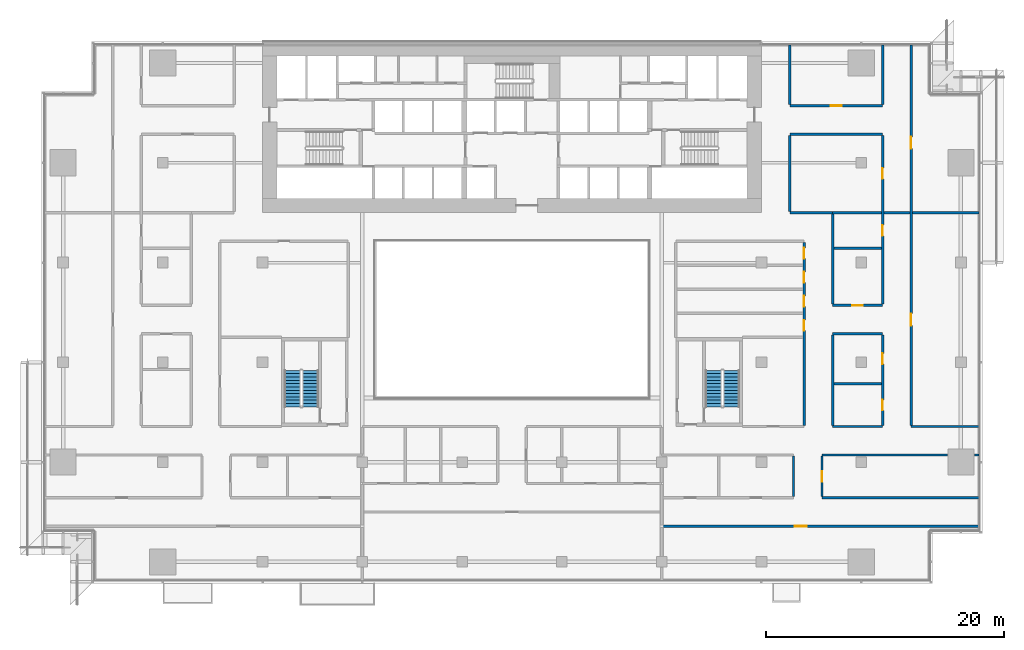
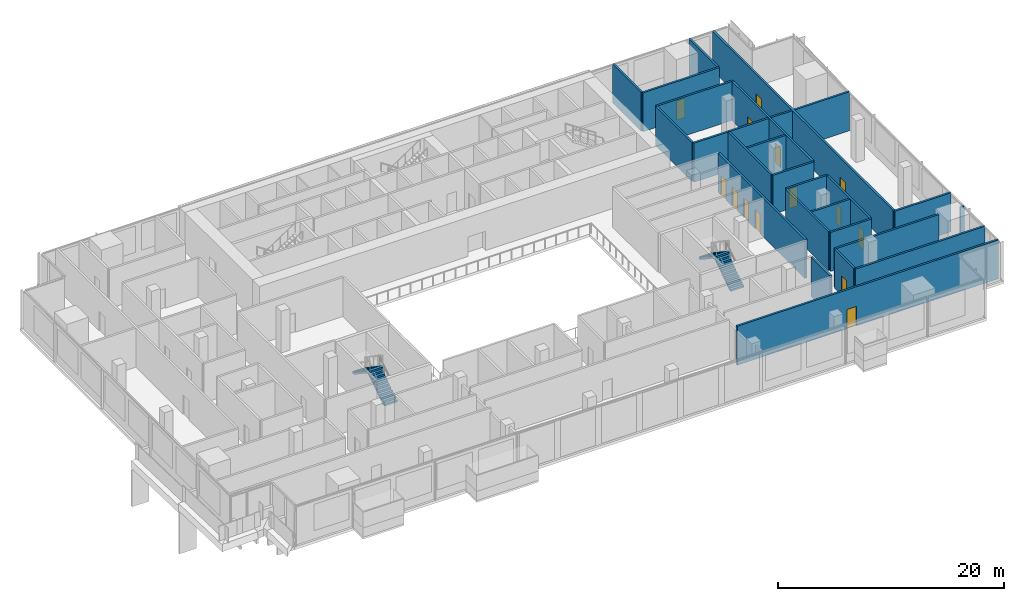
# One storey, part 19 of 23: 27 walls, 14 doors, 4 stair flights, 14 openings, 2 elements without a shape of their own.
"""IFC4 building model written with IfcOpenShell, lengths in metres."""

import ifcopenshell
import ifcopenshell.guid

model = None  # the IFC model being written
_history = None  # IfcOwnerHistory: only IFC2X3 demands one
_inside = {}  # id of a spatial element -> (the spatial element, [elements in it])
_under = {}  # id of a project, library or spatial element -> (it, [spatial elements below it])
_declared = {}  # id of a project -> (the project, [libraries it declares])
_typed = {}  # id of a type object -> (the type object, [elements of that type])
_made_of = {}  # id of a material, layer set ... -> (it, [elements and type objects made of it])


def new_model(schema):
    """Start an empty IFC model of exactly this schema.

    Asked for "IFC4X3", IfcOpenShell would pick the latest addendum, in which some entities
    have other attributes; the version numbers below select the first issue.
    IFC2X3 requires an IfcOwnerHistory on every rooted entity: one is made here for all.
    """
    global model, _history
    if schema == "IFC4X3":
        model = ifcopenshell.file(schema_version=(4, 3, 0, 0))
    else:
        model = ifcopenshell.file(schema=schema)
    _inside.clear()
    _under.clear()
    _declared.clear()
    _typed.clear()
    _made_of.clear()
    _history = None
    if model.schema == "IFC2X3":
        org = make("IfcOrganization", Name="unknown")
        user = make(
            "IfcPersonAndOrganization",
            ThePerson=make("IfcPerson", FamilyName="unknown"),
            TheOrganization=org,
        )
        app = make(
            "IfcApplication",
            ApplicationDeveloper=org,
            Version="unknown",
            ApplicationFullName="unknown",
            ApplicationIdentifier="unknown",
        )
        _history = make(
            "IfcOwnerHistory",
            OwningUser=user,
            OwningApplication=app,
            ChangeAction="ADDED",
            CreationDate=0,
        )
    return model


def make(cls, **values):
    """One entity of the class cls with the attributes given. An attribute that is None is left unset."""
    return model.create_entity(
        cls, **{name: value for name, value in values.items() if value is not None}
    )


def rooted(cls, **values):
    """An entity with a GlobalId (a new one), such as an element, a storey or a relation."""
    return make(cls, GlobalId=ifcopenshell.guid.new(), OwnerHistory=_history, **values)


def si_unit(unit_type, name, prefix=None):
    """IfcSIUnit, for example si_unit("LENGTHUNIT", "METRE", prefix="MILLI")."""
    return make("IfcSIUnit", UnitType=unit_type, Prefix=prefix, Name=name)


def assignment(units):
    """IfcUnitAssignment: the units of a project."""
    return None if units is None else make("IfcUnitAssignment", Units=units)


def point(xyz):
    """IfcCartesianPoint."""
    return None if xyz is None else make("IfcCartesianPoint", Coordinates=xyz)


def direction(xyz):
    """IfcDirection."""
    return None if xyz is None else make("IfcDirection", DirectionRatios=xyz)


def frame(location, z_axis=None, x_axis=None):
    """IfcAxis2Placement3D, a coordinate frame: its origin and axes. An axis left out is left unset."""
    return make(
        "IfcAxis2Placement3D",
        Location=point(location),
        Axis=direction(z_axis),
        RefDirection=direction(x_axis),
    )


def frame_2d(location, x_axis=None):
    """IfcAxis2Placement2D, a coordinate frame in the plane: its origin and x axis."""
    return make(
        "IfcAxis2Placement2D", Location=point(location), RefDirection=direction(x_axis)
    )


def origin():
    """The frame at (0, 0, 0) with its axes left unset."""
    return frame((0.0, 0.0, 0.0))


def place(relative_to, where):
    """IfcLocalPlacement: puts the frame where relative to a parent placement (None: the world)."""
    return make(
        "IfcLocalPlacement", PlacementRelTo=relative_to, RelativePlacement=where
    )


def context(
    kind, dimensions, precision=None, world=None, true_north=None, identifier=None
):
    """IfcGeometricRepresentationContext, for example the 3D "Model" context."""
    return make(
        "IfcGeometricRepresentationContext",
        ContextIdentifier=identifier,
        ContextType=kind,
        CoordinateSpaceDimension=dimensions,
        Precision=precision,
        WorldCoordinateSystem=world,
        TrueNorth=true_north,
    )


def subcontext(parent, identifier, kind, view, scale=None):
    """IfcGeometricRepresentationSubContext, for example "Body" below "Model"."""
    return make(
        "IfcGeometricRepresentationSubContext",
        ContextIdentifier=identifier,
        ContextType=kind,
        ParentContext=parent,
        TargetScale=scale,
        TargetView=view,
    )


def project(units=None, contexts=None):
    """IfcProject with its units and contexts."""
    return rooted(
        "IfcProject",
        Name="project",
        RepresentationContexts=contexts,
        UnitsInContext=assignment(units),
    )


def spatial(cls, under=None, at=None, **own):
    """A site, building, storey or space (cls), placed at a placement, below another one or the project."""
    s = rooted(cls, ObjectPlacement=at, **own)
    if under is not None:
        _under.setdefault(under.id(), (under, []))[1].append(s)
    return s


def polyline(points):
    """IfcPolyline through the points."""
    return make("IfcPolyline", Points=[point(p) for p in points])


def profile(cls, at=None, kind="AREA", **sizes):
    """A parametric profile (cls). Its sizes go by their IFC names, for example OverallWidth=200.0."""
    return make(cls, ProfileType=kind, Position=at, **sizes)


def rectangle(**sizes):
    """IfcRectangleProfileDef."""
    return profile("IfcRectangleProfileDef", **sizes)


def outline(outer, holes=None, kind="AREA"):
    """IfcArbitraryClosedProfileDef: a profile drawn as a closed curve; with holes, ...WithVoids."""
    if holes is None:
        return make("IfcArbitraryClosedProfileDef", ProfileType=kind, OuterCurve=outer)
    return make(
        "IfcArbitraryProfileDefWithVoids",
        ProfileType=kind,
        OuterCurve=outer,
        InnerCurves=holes,
    )


def extrude(swept, where, along, depth):
    """IfcExtrudedAreaSolid: the profile swept, set in the frame where, extruded along a direction by depth."""
    return make(
        "IfcExtrudedAreaSolid",
        SweptArea=swept,
        Position=where,
        ExtrudedDirection=direction(along),
        Depth=depth,
    )


def shape(context_of_items, identifier, shape_type, items):
    """IfcShapeRepresentation: the items that make up one representation, for example the "Body"."""
    return make(
        "IfcShapeRepresentation",
        ContextOfItems=context_of_items,
        RepresentationIdentifier=identifier,
        RepresentationType=shape_type,
        Items=items,
    )


def material(Name=None, Category=None):
    """IfcMaterial."""
    return make("IfcMaterial", Name=Name, Category=Category)


def layer(
    of_material, thickness, ventilated=None, Name=None, Category=None, Priority=None
):
    """IfcMaterialLayer: one layer of a wall or slab, of a material (None: an air gap)."""
    return make(
        "IfcMaterialLayer",
        Material=of_material,
        LayerThickness=thickness,
        IsVentilated=ventilated,
        Name=Name,
        Category=Category,
        Priority=Priority,
    )


def layer_set(layers, Name=None):
    """IfcMaterialLayerSet."""
    return make("IfcMaterialLayerSet", MaterialLayers=layers, LayerSetName=Name)


def made_of(thing, what):
    """Note that an element or type object is made of a material, layer set ...; save() writes the relation."""
    if what is not None:
        _made_of.setdefault(what.id(), (what, []))[1].append(thing)
    return thing


def type_object(cls, material=None, **own):
    """A type object (cls), such as IfcWallType, which elements share."""
    return made_of(rooted(cls, **own), material)


def element(
    cls,
    number,
    at=None,
    inside=None,
    cuts=None,
    type_object=None,
    material=None,
    context=None,
    identifier="Body",
    shape_type=None,
    held_by="IfcProductDefinitionShape",
    body=None,
    shapes=None,
    **own,
):
    """One element of the class cls, such as IfcWall. Its Tag is "e" and its number.

    at: its placement. inside: the storey or other place that contains it. cuts: it is an
    opening in that element (IfcRelVoidsElement). A single representation is given by context,
    identifier, shape_type and body (its items); several are given by shapes. held_by: the class
    of the entity that holds the representations. save() writes the other relations.
    """
    e = rooted(cls, Tag="e%d" % number, ObjectPlacement=at, **own)
    if body is not None:
        shapes = [shape(context, identifier, shape_type, body)]
    if shapes is not None:
        e.Representation = make(held_by, Representations=shapes)
    if inside is not None:
        _inside.setdefault(inside.id(), (inside, []))[1].append(e)
    if cuts is not None:
        rooted(
            "IfcRelVoidsElement", RelatingBuildingElement=cuts, RelatedOpeningElement=e
        )
    if type_object is not None:
        _typed.setdefault(type_object.id(), (type_object, []))[1].append(e)
    return made_of(e, material)


def fill(opening, filler):
    """IfcRelFillsElement: the door or window that sits in an opening."""
    return rooted(
        "IfcRelFillsElement",
        RelatingOpeningElement=opening,
        RelatedBuildingElement=filler,
    )


def aggregate(whole, parts):
    """IfcRelAggregates: a whole, such as a stair, and the parts it consists of."""
    return rooted("IfcRelAggregates", RelatingObject=whole, RelatedObjects=parts)


def save(model, path):
    """Write the relations noted so far, then the file.

    IfcRelAggregates (storeys below a building ...), IfcRelContainedInSpatialStructure (elements
    in a storey), IfcRelDefinesByType, IfcRelAssociatesMaterial and IfcRelDeclares: one each for
    every whole, place, type object, material and project.
    """
    for whole, parts in _under.values():
        aggregate(whole, parts)
    for where, things in _inside.values():
        rooted(
            "IfcRelContainedInSpatialStructure",
            RelatedElements=things,
            RelatingStructure=where,
        )
    for kind, things in _typed.values():
        rooted("IfcRelDefinesByType", RelatedObjects=things, RelatingType=kind)
    for what, things in _made_of.values():
        rooted("IfcRelAssociatesMaterial", RelatedObjects=things, RelatingMaterial=what)
    for by, libraries in _declared.values():
        rooted("IfcRelDeclares", RelatingContext=by, RelatedDefinitions=libraries)
    model.write(path)


model = new_model("IFC4")

# Units and contexts
model_context = context("Model", 3, precision=1e-05, world=origin(), true_north=direction((0.0, 1.0)))
body_context = subcontext(model_context, "Body", "Model", "MODEL_VIEW")
ifc_project = project(units=[si_unit("LENGTHUNIT", "METRE"), si_unit("AREAUNIT", "SQUARE_METRE"), si_unit("VOLUMEUNIT", "CUBIC_METRE"), si_unit("PLANEANGLEUNIT", "RADIAN"), si_unit("MASSUNIT", "GRAM", prefix="KILO")], contexts=[model_context])

# Site, building, storey
site_placement = place(None, origin())
site = spatial("IfcSite", under=ifc_project, at=site_placement, CompositionType="ELEMENT")
building_placement = place(site_placement, origin())
building = spatial("IfcBuilding", under=site, at=building_placement, Name="Saffron Gate Tower", CompositionType="ELEMENT")
storey_placement = place(building_placement, frame((0.0, 0.0, 32.699951171875)))
storey = spatial("IfcBuildingStorey", under=building, at=storey_placement, Name="L06", CompositionType="ELEMENT", Elevation=32.699951171875)

# Wall, opening, door
ifc_material_1 = material(Name="Clay brick masonry, rendered", Category="masonry")
ifc_layer_1 = layer(ifc_material_1, 0.199951171875)
ifc_layer_set_1 = layer_set([ifc_layer_1], Name="PW3 Corridor wall 200")
wall_type_1 = type_object("IfcWallType", Name="PW3 Corridor wall 200", PredefinedType="PARTITIONING", material=ifc_layer_set_1)
wall_1_placement = place(storey_placement, frame((126.919921875, 34.800048828125, 0.0), z_axis=(0.0, 0.0, 1.0), x_axis=(-1.0, 0.0, 0.0)))
wall_1 = element("IfcWall", 1, at=wall_1_placement, inside=storey, type_object=wall_type_1, Name="Wall S2-2", PredefinedType="PARTITIONING", context=body_context, shape_type="SweptSolid", body=[
    extrude(rectangle(XDim=26.719970703125, YDim=0.199951171875, at=frame_2d((13.35986328125, 0.0))), origin(), (0.0, 0.0, 1.0), 4.219970703125),
])
opening_1_placement = place(wall_1_placement, frame((14.51611328125, 0.0, 0.0)))
opening_1 = element("IfcOpeningElement", 2, at=opening_1_placement, cuts=wall_1, Name="Opening S2-34", PredefinedType="OPENING", context=body_context, shape_type="SweptSolid", body=[
    extrude(rectangle(XDim=1.0, YDim=2.10009765625, at=frame_2d((0.5, 1.050048828125))), frame((0.0, 0.10986328125, 0.0), z_axis=(0.0, -1.0, 0.0), x_axis=(1.0, 0.0, 0.0)), (0.0, 0.0, 1.0), 0.219970703125),
])
ifc_material_2 = material(Name="Timber door set", Category="wood")
door_type_1 = type_object("IfcDoorType", Name="HD1 Hall door 1200x2100", OperationType="NOTDEFINED", PredefinedType="DOOR", material=ifc_material_2)
door_1_placement = place(opening_1_placement, origin())
door_1 = element("IfcDoor", 3, at=door_1_placement, inside=storey, type_object=door_type_1, Name="Door S2-34", OperationType="SINGLE_SWING_RIGHT", OverallHeight=2.10009765625, OverallWidth=1.0, PredefinedType="DOOR", context=body_context, shape_type="SweptSolid", body=[
    extrude(rectangle(XDim=1.0, YDim=2.10009765625, at=frame_2d((0.5, 1.050048828125))), frame((0.0, 0.02490234375, 0.0), z_axis=(0.0, -1.0, 0.0), x_axis=(1.0, 0.0, 0.0)), (0.0, 0.0, 1.0), 0.050048828125),
])
fill(opening_1, door_1)

# Walls
wall_2_placement = place(storey_placement, frame((113.699951171875, 37.199951171875, 0.0), z_axis=(0.0, 0.0, 1.0), x_axis=(1.0, 0.0, 0.0)))
element("IfcWall", 4, at=wall_2_placement, inside=storey, type_object=wall_type_1, Name="Wall S2-7", PredefinedType="PARTITIONING", context=body_context, shape_type="SweptSolid", body=[
    extrude(rectangle(XDim=13.219970703125, YDim=0.199951171875, at=frame_2d((6.60986328125, 0.0))), origin(), (0.0, 0.0, 1.0), 4.219970703125),
])
wall_3_placement = place(storey_placement, frame((113.699951171875, 40.800048828125, 0.0), z_axis=(0.0, 0.0, 1.0), x_axis=(1.0, 0.0, 0.0)))
element("IfcWall", 5, at=wall_3_placement, inside=storey, type_object=wall_type_1, Name="Wall S2-14", PredefinedType="PARTITIONING", context=body_context, shape_type="SweptSolid", body=[
    extrude(rectangle(XDim=10.580078125, YDim=0.199951171875, at=frame_2d((5.2900390625, 0.0))), origin(), (0.0, 0.0, 1.0), 4.219970703125),
])
wall_4_placement = place(storey_placement, frame((126.52001953125, 40.800048828125, 0.0), z_axis=(0.0, 0.0, 1.0), x_axis=(1.0, 0.0, 0.0)))
element("IfcWall", 6, at=wall_4_placement, inside=storey, type_object=wall_type_1, Name="Wall S2-15", PredefinedType="PARTITIONING", context=body_context, shape_type="SweptSolid", body=[
    extrude(rectangle(XDim=0.39990234375, YDim=0.199951171875, at=frame_2d((0.199951171875, 0.0))), origin(), (0.0, 0.0, 1.0), 4.219970703125),
])
wall_5_placement = place(storey_placement, frame((114.60009765625, 43.199951171875, 0.0), z_axis=(0.0, 0.0, 1.0), x_axis=(1.0, 0.0, 0.0)))
element("IfcWall", 7, at=wall_5_placement, inside=storey, type_object=wall_type_1, Name="Wall S2-22", PredefinedType="PARTITIONING", context=body_context, shape_type="SweptSolid", body=[
    extrude(rectangle(XDim=4.199951171875, YDim=0.199951171875, at=frame_2d((2.10009765625, 0.0))), origin(), (0.0, 0.0, 1.0), 4.219970703125),
])
wall_6_placement = place(storey_placement, frame((121.199951171875, 43.199951171875, 0.0), z_axis=(0.0, 0.0, 1.0), x_axis=(1.0, 0.0, 0.0)))
element("IfcWall", 8, at=wall_6_placement, inside=storey, type_object=wall_type_1, Name="Wall S2-23", PredefinedType="PARTITIONING", context=body_context, shape_type="SweptSolid", body=[
    extrude(rectangle(XDim=5.719970703125, YDim=0.199951171875, at=frame_2d((2.85986328125, 0.0))), origin(), (0.0, 0.0, 1.0), 4.219970703125),
])
wall_7_placement = place(storey_placement, frame((114.60009765625, 51.0, 0.0), z_axis=(0.0, 0.0, 1.0), x_axis=(1.0, 0.0, 0.0)))
element("IfcWall", 9, at=wall_7_placement, inside=storey, type_object=wall_type_1, Name="Wall S2-29", PredefinedType="PARTITIONING", context=body_context, shape_type="SweptSolid", body=[
    extrude(rectangle(XDim=4.199951171875, YDim=0.199951171875, at=frame_2d((2.10009765625, 0.0))), origin(), (0.0, 0.0, 1.0), 4.219970703125),
])

# Wall, opening, door
wall_8_placement = place(storey_placement, frame((114.60009765625, 53.39990234375, 0.0), z_axis=(0.0, 0.0, 1.0), x_axis=(1.0, 0.0, 0.0)))
wall_8 = element("IfcWall", 10, at=wall_8_placement, inside=storey, type_object=wall_type_1, Name="Wall S2-32", PredefinedType="PARTITIONING", context=body_context, shape_type="SweptSolid", body=[
    extrude(rectangle(XDim=4.199951171875, YDim=0.199951171875, at=frame_2d((2.10009765625, 0.0))), origin(), (0.0, 0.0, 1.0), 4.219970703125),
])
opening_2_placement = place(wall_8_placement, frame((1.64990234375, 0.0, 0.0)))
opening_2 = element("IfcOpeningElement", 11, at=opening_2_placement, cuts=wall_8, Name="Opening S2-26", PredefinedType="OPENING", context=body_context, shape_type="SweptSolid", body=[
    extrude(rectangle(XDim=0.89990234375, YDim=2.10009765625, at=frame_2d((0.449951171875, 1.050048828125))), frame((0.0, 0.10986328125, 0.0), z_axis=(0.0, -1.0, 0.0), x_axis=(1.0, 0.0, 0.0)), (0.0, 0.0, 1.0), 0.219970703125),
])
door_type_2 = type_object("IfcDoorType", Name="RD1 Room door 900x2100", OperationType="NOTDEFINED", PredefinedType="DOOR", material=ifc_material_2)
door_2_placement = place(opening_2_placement, origin())
door_2 = element("IfcDoor", 12, at=door_2_placement, inside=storey, type_object=door_type_2, Name="Door S2-26", OperationType="SINGLE_SWING_RIGHT", OverallHeight=2.10009765625, OverallWidth=0.89990234375, PredefinedType="DOOR", context=body_context, shape_type="SweptSolid", body=[
    extrude(rectangle(XDim=0.89990234375, YDim=2.10009765625, at=frame_2d((0.449951171875, 1.050048828125))), frame((0.0, 0.02490234375, 0.0), z_axis=(0.0, -1.0, 0.0), x_axis=(1.0, 0.0, 0.0)), (0.0, 0.0, 1.0), 0.050048828125),
])
fill(opening_2, door_2)

# Walls
wall_9_placement = place(storey_placement, frame((111.0, 61.199951171875, 0.0), z_axis=(0.0, 0.0, 1.0), x_axis=(1.0, 0.0, 0.0)))
element("IfcWall", 13, at=wall_9_placement, inside=storey, type_object=wall_type_1, Name="Wall S2-42", PredefinedType="PARTITIONING", context=body_context, shape_type="SweptSolid", body=[
    extrude(rectangle(XDim=3.60009765625, YDim=0.199951171875, at=frame_2d((1.800048828125, 0.0))), origin(), (0.0, 0.0, 1.0), 4.219970703125),
])
wall_10_placement = place(storey_placement, frame((118.89990234375, 61.199951171875, 0.0), z_axis=(0.0, 0.0, 1.0), x_axis=(1.0, 0.0, 0.0)))
element("IfcWall", 14, at=wall_10_placement, inside=storey, type_object=wall_type_1, Name="Wall S2-43", PredefinedType="PARTITIONING", context=body_context, shape_type="SweptSolid", body=[
    extrude(rectangle(XDim=2.2001953125, YDim=0.199951171875, at=frame_2d((1.10009765625, 0.0))), origin(), (0.0, 0.0, 1.0), 4.219970703125),
])
wall_11_placement = place(storey_placement, frame((111.0, 67.800048828125, 0.0), z_axis=(0.0, 0.0, 1.0), x_axis=(1.0, 0.0, 0.0)))
element("IfcWall", 15, at=wall_11_placement, inside=storey, type_object=wall_type_1, Name="Wall S2-49", PredefinedType="PARTITIONING", context=body_context, shape_type="SweptSolid", body=[
    extrude(rectangle(XDim=7.800048828125, YDim=0.199951171875, at=frame_2d((3.89990234375, 0.0))), origin(), (0.0, 0.0, 1.0), 4.219970703125),
])

# Wall, opening, door
wall_12_placement = place(storey_placement, frame((111.0, 70.199951171875, 0.0), z_axis=(0.0, 0.0, 1.0), x_axis=(1.0, 0.0, 0.0)))
wall_12 = element("IfcWall", 16, at=wall_12_placement, inside=storey, type_object=wall_type_1, Name="Wall S2-51", PredefinedType="PARTITIONING", context=body_context, shape_type="SweptSolid", body=[
    extrude(rectangle(XDim=7.800048828125, YDim=0.199951171875, at=frame_2d((3.89990234375, 0.0))), origin(), (0.0, 0.0, 1.0), 4.219970703125),
])
opening_3_placement = place(wall_12_placement, frame((3.449951171875, 0.0, 0.0)))
opening_3 = element("IfcOpeningElement", 17, at=opening_3_placement, cuts=wall_12, Name="Opening S2-29", PredefinedType="OPENING", context=body_context, shape_type="SweptSolid", body=[
    extrude(rectangle(XDim=0.89990234375, YDim=2.10009765625, at=frame_2d((0.449951171875, 1.050048828125))), frame((0.0, 0.10986328125, 0.0), z_axis=(0.0, -1.0, 0.0), x_axis=(1.0, 0.0, 0.0)), (0.0, 0.0, 1.0), 0.219970703125),
])
door_3_placement = place(opening_3_placement, origin())
door_3 = element("IfcDoor", 18, at=door_3_placement, inside=storey, type_object=door_type_2, Name="Door S2-29", OperationType="SINGLE_SWING_RIGHT", OverallHeight=2.10009765625, OverallWidth=0.89990234375, PredefinedType="DOOR", context=body_context, shape_type="SweptSolid", body=[
    extrude(rectangle(XDim=0.89990234375, YDim=2.10009765625, at=frame_2d((0.449951171875, 1.050048828125))), frame((0.0, 0.02490234375, 0.0), z_axis=(0.0, -1.0, 0.0), x_axis=(1.0, 0.0, 0.0)), (0.0, 0.0, 1.0), 0.050048828125),
])
fill(opening_3, door_3)

# Walls
wall_13_placement = place(storey_placement, frame((111.0, 67.699951171875, 0.0), z_axis=(0.0, 0.0, 1.0), x_axis=(0.0, -1.0, 0.0)))
element("IfcWall", 19, at=wall_13_placement, inside=storey, type_object=wall_type_1, Name="Wall S2-84", PredefinedType="PARTITIONING", context=body_context, shape_type="SweptSolid", body=[
    extrude(rectangle(XDim=6.39990234375, YDim=0.199951171875, at=frame_2d((3.199951171875, 0.0))), origin(), (0.0, 0.0, 1.0), 4.219970703125),
])
wall_14_placement = place(storey_placement, frame((111.0, 75.320068359375, 0.0), z_axis=(0.0, 0.0, 1.0), x_axis=(0.0, -1.0, 0.0)))
element("IfcWall", 20, at=wall_14_placement, inside=storey, type_object=wall_type_1, Name="Wall S2-85", PredefinedType="PARTITIONING", context=body_context, shape_type="SweptSolid", body=[
    extrude(rectangle(XDim=5.02001953125, YDim=0.199951171875, at=frame_2d((2.510009765625, 0.0))), origin(), (0.0, 0.0, 1.0), 4.219970703125),
])
wall_15_placement = place(storey_placement, frame((111.300048828125, 40.699951171875, 0.0), z_axis=(0.0, 0.0, 1.0), x_axis=(0.0, -1.0, 0.0)))
element("IfcWall", 21, at=wall_15_placement, inside=storey, type_object=wall_type_1, Name="Wall S2-86", PredefinedType="PARTITIONING", context=body_context, shape_type="SweptSolid", body=[
    extrude(rectangle(XDim=3.39990234375, YDim=0.199951171875, at=frame_2d((1.699951171875, 0.0))), origin(), (0.0, 0.0, 1.0), 4.219970703125),
])

# Wall, openings, doors
wall_16_placement = place(storey_placement, frame((112.199951171875, 43.300048828125, 0.0), z_axis=(0.0, 0.0, 1.0), x_axis=(0.0, 1.0, 0.0)))
wall_16 = element("IfcWall", 22, at=wall_16_placement, inside=storey, type_object=wall_type_1, Name="Wall S2-87", PredefinedType="PARTITIONING", context=body_context, shape_type="SweptSolid", body=[
    extrude(rectangle(XDim=15.39990234375, YDim=0.199951171875, at=frame_2d((7.699951171875, 0.0))), origin(), (0.0, 0.0, 1.0), 4.219970703125),
])
opening_4_placement = place(wall_16_placement, frame((7.96240234375, 0.0, 0.0)))
opening_4 = element("IfcOpeningElement", 23, at=opening_4_placement, cuts=wall_16, Name="Opening S2-1", PredefinedType="OPENING", context=body_context, shape_type="SweptSolid", body=[
    extrude(rectangle(XDim=0.89990234375, YDim=2.10009765625, at=frame_2d((0.449951171875, 1.050048828125))), frame((0.0, 0.10986328125, 0.0), z_axis=(0.0, -1.0, 0.0), x_axis=(1.0, 0.0, 0.0)), (0.0, 0.0, 1.0), 0.219970703125),
])
opening_5_placement = place(wall_16_placement, frame((9.987548828125, 0.0, 0.0)))
opening_5 = element("IfcOpeningElement", 24, at=opening_5_placement, cuts=wall_16, Name="Opening S2-2", PredefinedType="OPENING", context=body_context, shape_type="SweptSolid", body=[
    extrude(rectangle(XDim=0.89990234375, YDim=2.10009765625, at=frame_2d((0.449951171875, 1.050048828125))), frame((0.0, 0.10986328125, 0.0), z_axis=(0.0, -1.0, 0.0), x_axis=(1.0, 0.0, 0.0)), (0.0, 0.0, 1.0), 0.219970703125),
])
opening_6_placement = place(wall_16_placement, frame((12.012451171875, 0.0, 0.0)))
opening_6 = element("IfcOpeningElement", 25, at=opening_6_placement, cuts=wall_16, Name="Opening S2-3", PredefinedType="OPENING", context=body_context, shape_type="SweptSolid", body=[
    extrude(rectangle(XDim=0.89990234375, YDim=2.10009765625, at=frame_2d((0.449951171875, 1.050048828125))), frame((0.0, 0.10986328125, 0.0), z_axis=(0.0, -1.0, 0.0), x_axis=(1.0, 0.0, 0.0)), (0.0, 0.0, 1.0), 0.219970703125),
])
opening_7_placement = place(wall_16_placement, frame((14.03759765625, 0.0, 0.0)))
opening_7 = element("IfcOpeningElement", 26, at=opening_7_placement, cuts=wall_16, Name="Opening S2-4", PredefinedType="OPENING", context=body_context, shape_type="SweptSolid", body=[
    extrude(rectangle(XDim=0.89990234375, YDim=2.10009765625, at=frame_2d((0.449951171875, 1.050048828125))), frame((0.0, 0.10986328125, 0.0), z_axis=(0.0, -1.0, 0.0), x_axis=(1.0, 0.0, 0.0)), (0.0, 0.0, 1.0), 0.219970703125),
])
door_4_placement = place(opening_4_placement, origin())
door_4 = element("IfcDoor", 27, at=door_4_placement, inside=storey, type_object=door_type_2, Name="Door S2-1", OperationType="SINGLE_SWING_LEFT", OverallHeight=2.10009765625, OverallWidth=0.89990234375, PredefinedType="DOOR", context=body_context, shape_type="SweptSolid", body=[
    extrude(rectangle(XDim=0.89990234375, YDim=2.10009765625, at=frame_2d((0.449951171875, 1.050048828125))), frame((0.0, 0.02490234375, 0.0), z_axis=(0.0, -1.0, 0.0), x_axis=(1.0, 0.0, 0.0)), (0.0, 0.0, 1.0), 0.050048828125),
])
fill(opening_4, door_4)
door_5_placement = place(opening_5_placement, origin())
door_5 = element("IfcDoor", 28, at=door_5_placement, inside=storey, type_object=door_type_2, Name="Door S2-2", OperationType="SINGLE_SWING_LEFT", OverallHeight=2.10009765625, OverallWidth=0.89990234375, PredefinedType="DOOR", context=body_context, shape_type="SweptSolid", body=[
    extrude(rectangle(XDim=0.89990234375, YDim=2.10009765625, at=frame_2d((0.449951171875, 1.050048828125))), frame((0.0, 0.02490234375, 0.0), z_axis=(0.0, -1.0, 0.0), x_axis=(1.0, 0.0, 0.0)), (0.0, 0.0, 1.0), 0.050048828125),
])
fill(opening_5, door_5)
door_6_placement = place(opening_6_placement, origin())
door_6 = element("IfcDoor", 29, at=door_6_placement, inside=storey, type_object=door_type_2, Name="Door S2-3", OperationType="SINGLE_SWING_LEFT", OverallHeight=2.10009765625, OverallWidth=0.89990234375, PredefinedType="DOOR", context=body_context, shape_type="SweptSolid", body=[
    extrude(rectangle(XDim=0.89990234375, YDim=2.10009765625, at=frame_2d((0.449951171875, 1.050048828125))), frame((0.0, 0.02490234375, 0.0), z_axis=(0.0, -1.0, 0.0), x_axis=(1.0, 0.0, 0.0)), (0.0, 0.0, 1.0), 0.050048828125),
])
fill(opening_6, door_6)
door_7_placement = place(opening_7_placement, origin())
door_7 = element("IfcDoor", 30, at=door_7_placement, inside=storey, type_object=door_type_2, Name="Door S2-4", OperationType="SINGLE_SWING_RIGHT", OverallHeight=2.10009765625, OverallWidth=0.89990234375, PredefinedType="DOOR", context=body_context, shape_type="SweptSolid", body=[
    extrude(rectangle(XDim=0.89990234375, YDim=2.10009765625, at=frame_2d((0.449951171875, 1.050048828125))), frame((0.0, 0.02490234375, 0.0), z_axis=(0.0, -1.0, 0.0), x_axis=(1.0, 0.0, 0.0)), (0.0, 0.0, 1.0), 0.050048828125),
])
fill(opening_7, door_7)

# Wall, opening, door
wall_17_placement = place(storey_placement, frame((113.699951171875, 40.699951171875, 0.0), z_axis=(0.0, 0.0, 1.0), x_axis=(0.0, -1.0, 0.0)))
wall_17 = element("IfcWall", 31, at=wall_17_placement, inside=storey, type_object=wall_type_1, Name="Wall S2-88", PredefinedType="PARTITIONING", context=body_context, shape_type="SweptSolid", body=[
    extrude(rectangle(XDim=3.39990234375, YDim=0.199951171875, at=frame_2d((1.699951171875, 0.0))), origin(), (0.0, 0.0, 1.0), 4.219970703125),
])
opening_8_placement = place(wall_17_placement, frame((1.25, 0.0, 0.0)))
opening_8 = element("IfcOpeningElement", 32, at=opening_8_placement, cuts=wall_17, Name="Opening S2-17", PredefinedType="OPENING", context=body_context, shape_type="SweptSolid", body=[
    extrude(rectangle(XDim=0.89990234375, YDim=2.10009765625, at=frame_2d((0.449951171875, 1.050048828125))), frame((0.0, 0.10986328125, 0.0), z_axis=(0.0, -1.0, 0.0), x_axis=(1.0, 0.0, 0.0)), (0.0, 0.0, 1.0), 0.219970703125),
])
door_8_placement = place(opening_8_placement, origin())
door_8 = element("IfcDoor", 33, at=door_8_placement, inside=storey, type_object=door_type_2, Name="Door S2-17", OperationType="SINGLE_SWING_LEFT", OverallHeight=2.10009765625, OverallWidth=0.89990234375, PredefinedType="DOOR", context=body_context, shape_type="SweptSolid", body=[
    extrude(rectangle(XDim=0.89990234375, YDim=2.10009765625, at=frame_2d((0.449951171875, 1.050048828125))), frame((0.0, 0.02490234375, 0.0), z_axis=(0.0, -1.0, 0.0), x_axis=(1.0, 0.0, 0.0)), (0.0, 0.0, 1.0), 0.050048828125),
])
fill(opening_8, door_8)

# Walls
wall_18_placement = place(storey_placement, frame((114.60009765625, 50.89990234375, 0.0), z_axis=(0.0, 0.0, 1.0), x_axis=(0.0, -1.0, 0.0)))
element("IfcWall", 34, at=wall_18_placement, inside=storey, type_object=wall_type_1, Name="Wall S2-89", PredefinedType="PARTITIONING", context=body_context, shape_type="SweptSolid", body=[
    extrude(rectangle(XDim=7.599853515625, YDim=0.199951171875, at=frame_2d((3.7998046875, 0.0))), origin(), (0.0, 0.0, 1.0), 4.219970703125),
])
wall_19_placement = place(storey_placement, frame((114.60009765625, 61.10009765625, 0.0), z_axis=(0.0, 0.0, 1.0), x_axis=(0.0, -1.0, 0.0)))
element("IfcWall", 35, at=wall_19_placement, inside=storey, type_object=wall_type_1, Name="Wall S2-90", PredefinedType="PARTITIONING", context=body_context, shape_type="SweptSolid", body=[
    extrude(rectangle(XDim=7.60009765625, YDim=0.199951171875, at=frame_2d((3.800048828125, 0.0))), origin(), (0.0, 0.0, 1.0), 4.219970703125),
])

# Wall, openings, doors
wall_20_placement = place(storey_placement, frame((118.800048828125, 43.300048828125, 0.0), z_axis=(0.0, 0.0, 1.0), x_axis=(0.0, 1.0, 0.0)))
wall_20 = element("IfcWall", 36, at=wall_20_placement, inside=storey, type_object=wall_type_1, Name="Wall S2-91", PredefinedType="PARTITIONING", context=body_context, shape_type="SweptSolid", body=[
    extrude(rectangle(XDim=7.599853515625, YDim=0.199951171875, at=frame_2d((3.7998046875, 0.0))), origin(), (0.0, 0.0, 1.0), 4.219970703125),
])
opening_9_placement = place(wall_20_placement, frame((1.25, 0.0, 0.0)))
opening_9 = element("IfcOpeningElement", 37, at=opening_9_placement, cuts=wall_20, Name="Opening S2-24", PredefinedType="OPENING", context=body_context, shape_type="SweptSolid", body=[
    extrude(rectangle(XDim=0.89990234375, YDim=2.10009765625, at=frame_2d((0.449951171875, 1.050048828125))), frame((0.0, 0.10986328125, 0.0), z_axis=(0.0, -1.0, 0.0), x_axis=(1.0, 0.0, 0.0)), (0.0, 0.0, 1.0), 0.219970703125),
])
opening_10_placement = place(wall_20_placement, frame((5.14990234375, 0.0, 0.0)))
opening_10 = element("IfcOpeningElement", 38, at=opening_10_placement, cuts=wall_20, Name="Opening S2-25", PredefinedType="OPENING", context=body_context, shape_type="SweptSolid", body=[
    extrude(rectangle(XDim=0.89990234375, YDim=2.10009765625, at=frame_2d((0.449951171875, 1.050048828125))), frame((0.0, 0.10986328125, 0.0), z_axis=(0.0, -1.0, 0.0), x_axis=(1.0, 0.0, 0.0)), (0.0, 0.0, 1.0), 0.219970703125),
])
door_9_placement = place(opening_9_placement, origin())
door_9 = element("IfcDoor", 39, at=door_9_placement, inside=storey, type_object=door_type_2, Name="Door S2-24", OperationType="SINGLE_SWING_LEFT", OverallHeight=2.10009765625, OverallWidth=0.89990234375, PredefinedType="DOOR", context=body_context, shape_type="SweptSolid", body=[
    extrude(rectangle(XDim=0.89990234375, YDim=2.10009765625, at=frame_2d((0.449951171875, 1.050048828125))), frame((0.0, 0.02490234375, 0.0), z_axis=(0.0, -1.0, 0.0), x_axis=(1.0, 0.0, 0.0)), (0.0, 0.0, 1.0), 0.050048828125),
])
fill(opening_9, door_9)
door_10_placement = place(opening_10_placement, origin())
door_10 = element("IfcDoor", 40, at=door_10_placement, inside=storey, type_object=door_type_2, Name="Door S2-25", OperationType="SINGLE_SWING_RIGHT", OverallHeight=2.10009765625, OverallWidth=0.89990234375, PredefinedType="DOOR", context=body_context, shape_type="SweptSolid", body=[
    extrude(rectangle(XDim=0.89990234375, YDim=2.10009765625, at=frame_2d((0.449951171875, 1.050048828125))), frame((0.0, 0.02490234375, 0.0), z_axis=(0.0, -1.0, 0.0), x_axis=(1.0, 0.0, 0.0)), (0.0, 0.0, 1.0), 0.050048828125),
])
fill(opening_10, door_10)

wall_21_placement = place(storey_placement, frame((118.800048828125, 53.5, 0.0), z_axis=(0.0, 0.0, 1.0), x_axis=(0.0, 1.0, 0.0)))
wall_21 = element("IfcWall", 41, at=wall_21_placement, inside=storey, type_object=wall_type_1, Name="Wall S2-92", PredefinedType="PARTITIONING", context=body_context, shape_type="SweptSolid", body=[
    extrude(rectangle(XDim=14.199951171875, YDim=0.199951171875, at=frame_2d((7.10009765625, 0.0))), origin(), (0.0, 0.0, 1.0), 4.219970703125),
])
opening_11_placement = place(wall_21_placement, frame((5.75, 0.0, 0.0)))
opening_11 = element("IfcOpeningElement", 42, at=opening_11_placement, cuts=wall_21, Name="Opening S2-27", PredefinedType="OPENING", context=body_context, shape_type="SweptSolid", body=[
    extrude(rectangle(XDim=0.89990234375, YDim=2.10009765625, at=frame_2d((0.449951171875, 1.050048828125))), frame((0.0, 0.10986328125, 0.0), z_axis=(0.0, -1.0, 0.0), x_axis=(1.0, 0.0, 0.0)), (0.0, 0.0, 1.0), 0.219970703125),
])
opening_12_placement = place(wall_21_placement, frame((10.550048828125, 0.0, 0.0)))
opening_12 = element("IfcOpeningElement", 43, at=opening_12_placement, cuts=wall_21, Name="Opening S2-28", PredefinedType="OPENING", context=body_context, shape_type="SweptSolid", body=[
    extrude(rectangle(XDim=0.89990234375, YDim=2.10009765625, at=frame_2d((0.449951171875, 1.050048828125))), frame((0.0, 0.10986328125, 0.0), z_axis=(0.0, -1.0, 0.0), x_axis=(1.0, 0.0, 0.0)), (0.0, 0.0, 1.0), 0.219970703125),
])
door_11_placement = place(opening_11_placement, origin())
door_11 = element("IfcDoor", 44, at=door_11_placement, inside=storey, type_object=door_type_2, Name="Door S2-27", OperationType="SINGLE_SWING_LEFT", OverallHeight=2.10009765625, OverallWidth=0.89990234375, PredefinedType="DOOR", context=body_context, shape_type="SweptSolid", body=[
    extrude(rectangle(XDim=0.89990234375, YDim=2.10009765625, at=frame_2d((0.449951171875, 1.050048828125))), frame((0.0, 0.02490234375, 0.0), z_axis=(0.0, -1.0, 0.0), x_axis=(1.0, 0.0, 0.0)), (0.0, 0.0, 1.0), 0.050048828125),
])
fill(opening_11, door_11)
door_12_placement = place(opening_12_placement, origin())
door_12 = element("IfcDoor", 45, at=door_12_placement, inside=storey, type_object=door_type_2, Name="Door S2-28", OperationType="SINGLE_SWING_RIGHT", OverallHeight=2.10009765625, OverallWidth=0.89990234375, PredefinedType="DOOR", context=body_context, shape_type="SweptSolid", body=[
    extrude(rectangle(XDim=0.89990234375, YDim=2.10009765625, at=frame_2d((0.449951171875, 1.050048828125))), frame((0.0, 0.02490234375, 0.0), z_axis=(0.0, -1.0, 0.0), x_axis=(1.0, 0.0, 0.0)), (0.0, 0.0, 1.0), 0.050048828125),
])
fill(opening_12, door_12)

# Wall
wall_22_placement = place(storey_placement, frame((118.800048828125, 75.320068359375, 0.0), z_axis=(0.0, 0.0, 1.0), x_axis=(0.0, -1.0, 0.0)))
element("IfcWall", 46, at=wall_22_placement, inside=storey, type_object=wall_type_1, Name="Wall S2-93", PredefinedType="PARTITIONING", context=body_context, shape_type="SweptSolid", body=[
    extrude(rectangle(XDim=5.02001953125, YDim=0.199951171875, at=frame_2d((2.510009765625, 0.0))), origin(), (0.0, 0.0, 1.0), 4.219970703125),
])

# Wall, openings, doors
wall_23_placement = place(storey_placement, frame((121.199951171875, 75.320068359375, 0.0), z_axis=(0.0, 0.0, 1.0), x_axis=(0.0, -1.0, 0.0)))
wall_23 = element("IfcWall", 47, at=wall_23_placement, inside=storey, type_object=wall_type_1, Name="Wall S2-94", PredefinedType="PARTITIONING", context=body_context, shape_type="SweptSolid", body=[
    extrude(rectangle(XDim=32.02001953125, YDim=0.199951171875, at=frame_2d((16.010009765625, 0.0))), origin(), (0.0, 0.0, 1.0), 4.219970703125),
])
opening_13_placement = place(wall_23_placement, frame((7.728515625, 0.0, 0.0)))
opening_13 = element("IfcOpeningElement", 48, at=opening_13_placement, cuts=wall_23, Name="Opening S2-38", PredefinedType="OPENING", context=body_context, shape_type="SweptSolid", body=[
    extrude(rectangle(XDim=1.0, YDim=2.10009765625, at=frame_2d((0.5, 1.050048828125))), frame((0.0, 0.10986328125, 0.0), z_axis=(0.0, -1.0, 0.0), x_axis=(1.0, 0.0, 0.0)), (0.0, 0.0, 1.0), 0.219970703125),
])
opening_14_placement = place(wall_23_placement, frame((22.6201171875, 0.0, 0.0)))
opening_14 = element("IfcOpeningElement", 49, at=opening_14_placement, cuts=wall_23, Name="Opening S2-37", PredefinedType="OPENING", context=body_context, shape_type="SweptSolid", body=[
    extrude(rectangle(XDim=1.0, YDim=2.10009765625, at=frame_2d((0.5, 1.050048828125))), frame((0.0, 0.10986328125, 0.0), z_axis=(0.0, -1.0, 0.0), x_axis=(1.0, 0.0, 0.0)), (0.0, 0.0, 1.0), 0.219970703125),
])
door_13_placement = place(opening_13_placement, origin())
door_13 = element("IfcDoor", 50, at=door_13_placement, inside=storey, type_object=door_type_1, Name="Door S2-38", OperationType="SINGLE_SWING_RIGHT", OverallHeight=2.10009765625, OverallWidth=1.0, PredefinedType="DOOR", context=body_context, shape_type="SweptSolid", body=[
    extrude(rectangle(XDim=1.0, YDim=2.10009765625, at=frame_2d((0.5, 1.050048828125))), frame((0.0, 0.02490234375, 0.0), z_axis=(0.0, -1.0, 0.0), x_axis=(1.0, 0.0, 0.0)), (0.0, 0.0, 1.0), 0.050048828125),
])
fill(opening_13, door_13)
door_14_placement = place(opening_14_placement, origin())
door_14 = element("IfcDoor", 51, at=door_14_placement, inside=storey, type_object=door_type_1, Name="Door S2-37", OperationType="SINGLE_SWING_RIGHT", OverallHeight=2.10009765625, OverallWidth=1.0, PredefinedType="DOOR", context=body_context, shape_type="SweptSolid", body=[
    extrude(rectangle(XDim=1.0, YDim=2.10009765625, at=frame_2d((0.5, 1.050048828125))), frame((0.0, 0.02490234375, 0.0), z_axis=(0.0, -1.0, 0.0), x_axis=(1.0, 0.0, 0.0)), (0.0, 0.0, 1.0), 0.050048828125),
])
fill(opening_14, door_14)

# Walls
ifc_layer_2 = layer(ifc_material_1, 0.199951171875)
ifc_layer_set_2 = layer_set([ifc_layer_2], Name="PW5 Room wall 200")
wall_type_2 = type_object("IfcWallType", Name="PW5 Room wall 200", PredefinedType="PARTITIONING", material=ifc_layer_set_2)
for number, where, z_axis, x_axis, name in (
    (52, (114.699951171875, 46.800048828125, 0.0), (0.0, 0.0, 1.0), (1.0, 0.0, 0.0), "Wall S2-24"),
    (53, (114.699951171875, 58.199951171875, 0.0), (0.0, 0.0, 1.0), (1.0, 0.0, 0.0), "Wall S2-37"),
):
    element("IfcWall", number, at=place(storey_placement, frame(where, z_axis=z_axis, x_axis=x_axis)), inside=storey, type_object=wall_type_2, Name=name, PredefinedType="PARTITIONING", context=body_context, shape_type="SweptSolid", body=[
        extrude(rectangle(XDim=4.0, YDim=0.199951171875, at=frame_2d((2.0, 0.0))), origin(), (0.0, 0.0, 1.0), 4.219970703125),
    ])
wall_24_placement = place(storey_placement, frame((114.60009765625, 61.199951171875, 0.0), z_axis=(0.0, 0.0, 1.0), x_axis=(1.0, 0.0, 0.0)))
element("IfcWall", 54, at=wall_24_placement, inside=storey, type_object=wall_type_2, Name="Wall S2-46", PredefinedType="PARTITIONING", context=body_context, shape_type="SweptSolid", body=[
    extrude(rectangle(XDim=4.099853515625, YDim=0.199951171875, at=frame_2d((2.0498046875, 0.0))), origin(), (0.0, 0.0, 1.0), 4.219970703125),
])
wall_25_placement = place(storey_placement, frame((121.300048828125, 61.199951171875, 0.0), z_axis=(0.0, 0.0, 1.0), x_axis=(1.0, 0.0, 0.0)))
element("IfcWall", 55, at=wall_25_placement, inside=storey, type_object=wall_type_2, Name="Wall S2-47", PredefinedType="PARTITIONING", context=body_context, shape_type="SweptSolid", body=[
    extrude(rectangle(XDim=5.619873046875, YDim=0.199951171875, at=frame_2d((2.81005859375, 0.0))), origin(), (0.0, 0.0, 1.0), 4.219970703125),
])

# Stair, stair flights
ifc_material_3 = material(Name="Concrete C40", Category="concrete")
stair_type = type_object("IfcStairType", Name="ST6 Stair 1350 wide, 24 risers of 188", PredefinedType="HALF_TURN_STAIR", material=ifc_material_3)
stair_1_placement = place(storey_placement, origin())
stair_1 = element("IfcStair", 56, at=stair_1_placement, inside=storey, type_object=stair_type, Name="L06 Exit stair D", PredefinedType="HALF_TURN_STAIR")
stair_flight_type = type_object("IfcStairFlightType", Name="SF2 Stair flight 1350 wide, riser 188 going 280", PredefinedType="STRAIGHT", material=ifc_material_3)
stair_flight_1_placement = place(storey_placement, frame((70.625, 44.85009765625, 0.0), z_axis=(0.0, 0.0, 1.0), x_axis=(0.0, 1.0, 0.0)))
stair_flight_1 = element("IfcStairFlight", 57, at=stair_flight_1_placement, type_object=stair_flight_type, Name="ST-D flight 1", NumberOfRisers=12, NumberOfTreads=11, PredefinedType="STRAIGHT", RiserHeight=0.1875, TreadLength=0.28, context=body_context, shape_type="SweptSolid", body=[
    extrude(outline(polyline([(0.0, 0.0), (0.0, 0.1875), (0.280029296875, 0.1875), (0.280029296875, 0.375), (0.56005859375, 0.375), (0.56005859375, 0.5625), (0.840087890625, 0.5625), (0.840087890625, 0.75), (1.1201171875, 0.75), (1.1201171875, 0.9375), (1.39990234375, 0.9375), (1.39990234375, 1.125), (1.679931640625, 1.125), (1.679931640625, 1.3125), (1.9599609375, 1.3125), (1.9599609375, 1.5), (2.239990234375, 1.5), (2.239990234375, 1.6875), (2.52001953125, 1.6875), (2.52001953125, 1.875), (2.800048828125, 1.875), (2.800048828125, 2.0625), (3.080078125, 2.0625), (3.080078125, 2.25), (3.080078125, 1.882080078125), (0.26953125, 0.0), (0.0, 0.0)])), frame((0.0, 0.675048828125, 0.0), z_axis=(0.0, -1.0, 0.0), x_axis=(1.0, 0.0, 0.0)), (0.0, 0.0, 1.0), 1.35009765625),
])
stair_flight_2_placement = place(storey_placement, frame((69.125, 47.929931640625, 2.25), z_axis=(0.0, 0.0, 1.0), x_axis=(0.0, -1.0, 0.0)))
stair_flight_2 = element("IfcStairFlight", 58, at=stair_flight_2_placement, type_object=stair_flight_type, Name="ST-D flight 2", NumberOfRisers=12, NumberOfTreads=11, PredefinedType="STRAIGHT", RiserHeight=0.1875, TreadLength=0.28, context=body_context, shape_type="SweptSolid", body=[
    extrude(outline(polyline([(0.0, 0.0), (0.0, 0.1875), (0.280029296875, 0.1875), (0.280029296875, 0.375), (0.56005859375, 0.375), (0.56005859375, 0.5625), (0.840087890625, 0.5625), (0.840087890625, 0.75), (1.1201171875, 0.75), (1.1201171875, 0.9375), (1.39990234375, 0.9375), (1.39990234375, 1.125), (1.679931640625, 1.125), (1.679931640625, 1.3125), (1.9599609375, 1.3125), (1.9599609375, 1.5), (2.239990234375, 1.5), (2.239990234375, 1.6875), (2.52001953125, 1.6875), (2.52001953125, 1.875), (2.800048828125, 1.875), (2.800048828125, 2.0625), (3.080078125, 2.0625), (3.080078125, 2.25), (3.080078125, 1.882080078125), (0.26953125, 0.0), (0.0, 0.0)])), frame((0.0, 0.675048828125, 0.0), z_axis=(0.0, -1.0, 0.0), x_axis=(1.0, 0.0, 0.0)), (0.0, 0.0, 1.0), 1.35009765625),
])
aggregate(stair_1, [stair_flight_1, stair_flight_2])

stair_2_placement = place(storey_placement, origin())
stair_2 = element("IfcStair", 59, at=stair_2_placement, inside=storey, type_object=stair_type, Name="L06 Exit stair E", PredefinedType="HALF_TURN_STAIR")
stair_flight_3_placement = place(storey_placement, frame((106.074951171875, 44.85009765625, 0.0), z_axis=(0.0, 0.0, 1.0), x_axis=(0.0, 1.0, 0.0)))
stair_flight_3 = element("IfcStairFlight", 60, at=stair_flight_3_placement, type_object=stair_flight_type, Name="ST-E flight 1", NumberOfRisers=12, NumberOfTreads=11, PredefinedType="STRAIGHT", RiserHeight=0.1875, TreadLength=0.28, context=body_context, shape_type="SweptSolid", body=[
    extrude(outline(polyline([(0.0, 0.0), (0.0, 0.1875), (0.280029296875, 0.1875), (0.280029296875, 0.375), (0.56005859375, 0.375), (0.56005859375, 0.5625), (0.840087890625, 0.5625), (0.840087890625, 0.75), (1.1201171875, 0.75), (1.1201171875, 0.9375), (1.39990234375, 0.9375), (1.39990234375, 1.125), (1.679931640625, 1.125), (1.679931640625, 1.3125), (1.9599609375, 1.3125), (1.9599609375, 1.5), (2.239990234375, 1.5), (2.239990234375, 1.6875), (2.52001953125, 1.6875), (2.52001953125, 1.875), (2.800048828125, 1.875), (2.800048828125, 2.0625), (3.080078125, 2.0625), (3.080078125, 2.25), (3.080078125, 1.882080078125), (0.26953125, 0.0), (0.0, 0.0)])), frame((0.0, 0.675048828125, 0.0), z_axis=(0.0, -1.0, 0.0), x_axis=(1.0, 0.0, 0.0)), (0.0, 0.0, 1.0), 1.35009765625),
])
stair_flight_4_placement = place(storey_placement, frame((104.574951171875, 47.929931640625, 2.25), z_axis=(0.0, 0.0, 1.0), x_axis=(0.0, -1.0, 0.0)))
stair_flight_4 = element("IfcStairFlight", 61, at=stair_flight_4_placement, type_object=stair_flight_type, Name="ST-E flight 2", NumberOfRisers=12, NumberOfTreads=11, PredefinedType="STRAIGHT", RiserHeight=0.1875, TreadLength=0.28, context=body_context, shape_type="SweptSolid", body=[
    extrude(outline(polyline([(0.0, 0.0), (0.0, 0.1875), (0.280029296875, 0.1875), (0.280029296875, 0.375), (0.56005859375, 0.375), (0.56005859375, 0.5625), (0.840087890625, 0.5625), (0.840087890625, 0.75), (1.1201171875, 0.75), (1.1201171875, 0.9375), (1.39990234375, 0.9375), (1.39990234375, 1.125), (1.679931640625, 1.125), (1.679931640625, 1.3125), (1.9599609375, 1.3125), (1.9599609375, 1.5), (2.239990234375, 1.5), (2.239990234375, 1.6875), (2.52001953125, 1.6875), (2.52001953125, 1.875), (2.800048828125, 1.875), (2.800048828125, 2.0625), (3.080078125, 2.0625), (3.080078125, 2.25), (3.080078125, 1.882080078125), (0.26953125, 0.0), (0.0, 0.0)])), frame((0.0, 0.675048828125, 0.0), z_axis=(0.0, -1.0, 0.0), x_axis=(1.0, 0.0, 0.0)), (0.0, 0.0, 1.0), 1.35009765625),
])
aggregate(stair_2, [stair_flight_3, stair_flight_4])

save(model, "model.ifc")
